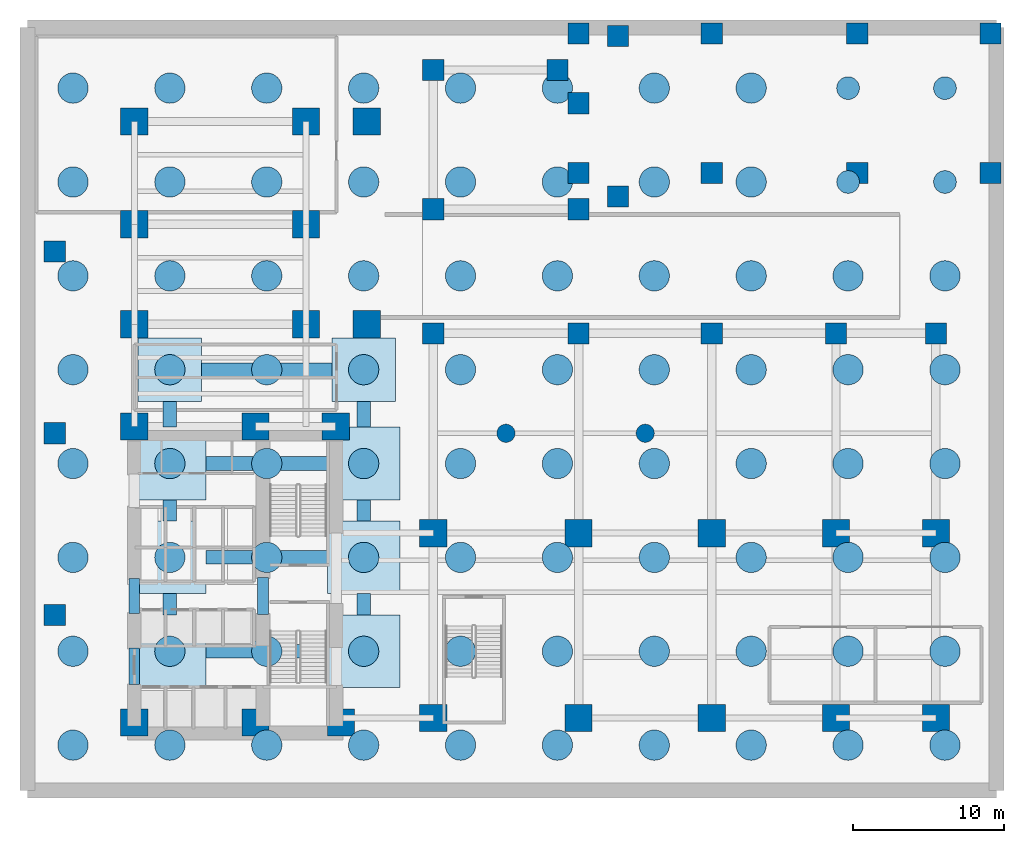
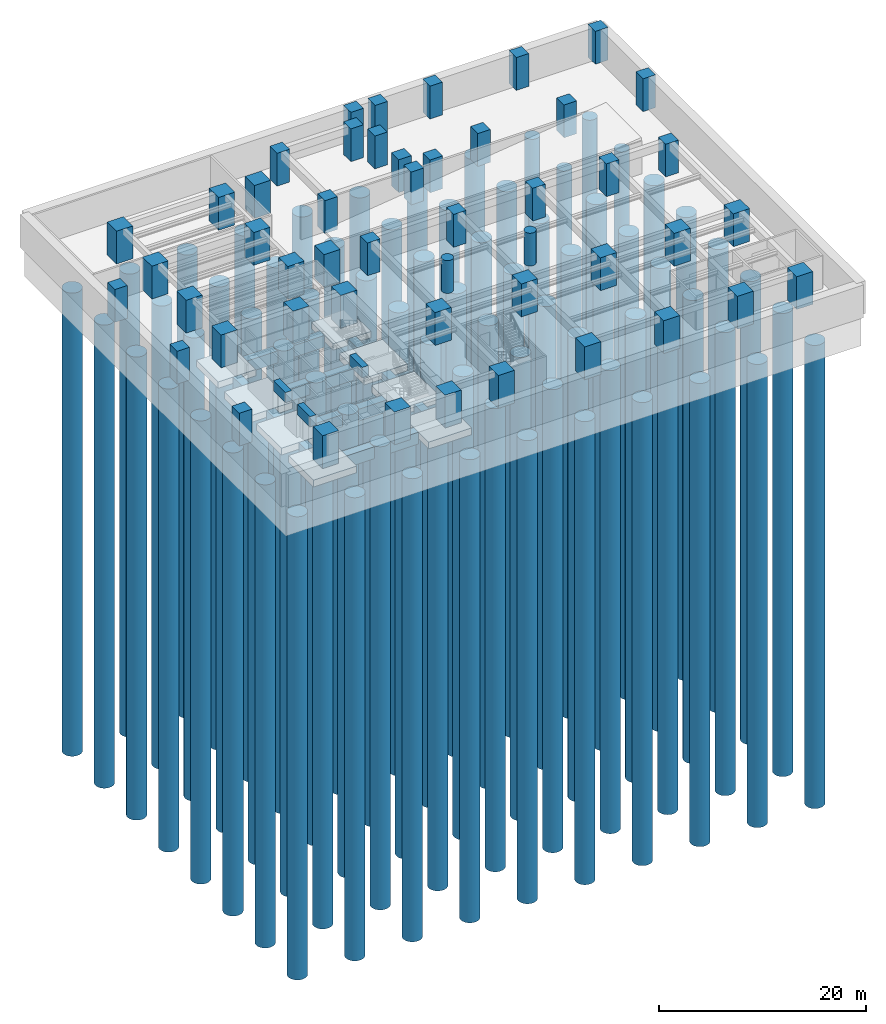
# One storey, part 1 of 6: 80 piles, 49 columns, 18 footings, 3 beams.
"""IFC4 building model written with IfcOpenShell, lengths in metres."""

from ifc_helpers import new_model, si_unit, direction, frame, origin, origin_2d, place, context, subcontext, project, spatial, polyline, rectangle, circle, outline, extrude, material, layer, layer_set, material_profile, profile_set, type_object, element, save


model = new_model("IFC4")

# Units and contexts
model_context = context("Model", 3, precision=1e-05, world=origin(), true_north=direction((0.0, 1.0)))
body_context = subcontext(model_context, "Body", "Model", "MODEL_VIEW")
ifc_project = project(units=[si_unit("LENGTHUNIT", "METRE"), si_unit("AREAUNIT", "SQUARE_METRE"), si_unit("VOLUMEUNIT", "CUBIC_METRE"), si_unit("PLANEANGLEUNIT", "RADIAN"), si_unit("MASSUNIT", "GRAM", prefix="KILO")], contexts=[model_context])

# Site, building, storey
site_placement = place(None, origin())
site = spatial("IfcSite", under=ifc_project, at=site_placement, CompositionType="ELEMENT")
building_placement = place(site_placement, origin())
building = spatial("IfcBuilding", under=site, at=building_placement, Name="Kolvaren Waterfront Exchange", CompositionType="ELEMENT")
storey_placement = place(building_placement, frame((0.0, 0.0, -8.39990234375)))
storey = spatial("IfcBuildingStorey", under=building, at=storey_placement, Name="B02", CompositionType="ELEMENT", Elevation=-8.39990234375)

# Footings
ifc_material_1 = material(Name="Concrete C40/50", Category="concrete")
ifc_material_profile_1 = material_profile(ifc_material_1, rectangle(XDim=0.89990234375, YDim=1.39990234375, at=origin_2d()), Name="RC-GB-1400x900")
ifc_profile_set_1 = profile_set([ifc_material_profile_1], Name="Concrete C40/50")
footing_type_1 = type_object("IfcFootingType", Name="STR-GBEAM-1400x900", PredefinedType="FOOTING_BEAM", material=ifc_profile_set_1)
footing_1_placement = place(storey_placement, frame((12.199951171875, 9.60009765625, -4.300048828125), z_axis=(1.0, 0.0, 0.0), x_axis=(0.0, 1.0, 0.0)))
element("IfcFooting", 1, at=footing_1_placement, inside=storey, type_object=footing_type_1, Name="Ground tie beam GB1-01", PredefinedType="FOOTING_BEAM", context=body_context, shape_type="SweptSolid", body=[
    extrude(rectangle(XDim=0.89990234375, YDim=1.39990234375, at=origin_2d()), origin(), (0.0, 0.0, 1.0), 8.0),
])
for number, where, z_axis, x_axis, name in (
    (2, (9.800048828125, 12.0, -4.300048828125), (0.0, 1.0, 0.0), (-1.0, 0.0, 0.0), "Ground tie beam GB1-02"),
    (3, (22.60009765625, 12.0, -4.300048828125), (0.0, 1.0, 0.0), (-1.0, 0.0, 0.0), "Ground tie beam GB1-03"),
):
    element("IfcFooting", number, at=place(storey_placement, frame(where, z_axis=z_axis, x_axis=x_axis)), inside=storey, type_object=footing_type_1, Name=name, PredefinedType="FOOTING_BEAM", context=body_context, shape_type="SweptSolid", body=[
        extrude(rectangle(XDim=0.89990234375, YDim=1.39990234375, at=origin_2d()), origin(), (0.0, 0.0, 1.0), 1.39990234375),
    ])
footing_2_placement = place(storey_placement, frame((12.199951171875, 15.800048828125, -4.300048828125), z_axis=(1.0, 0.0, 0.0), x_axis=(0.0, 1.0, 0.0)))
element("IfcFooting", 4, at=footing_2_placement, inside=storey, type_object=footing_type_1, Name="Ground tie beam GB1-04", PredefinedType="FOOTING_BEAM", context=body_context, shape_type="SweptSolid", body=[
    extrude(rectangle(XDim=0.89990234375, YDim=1.39990234375, at=origin_2d()), origin(), (0.0, 0.0, 1.0), 8.0),
])
for number, where, z_axis, x_axis, name in (
    (5, (9.800048828125, 18.199951171875, -4.300048828125), (0.0, 1.0, 0.0), (-1.0, 0.0, 0.0), "Ground tie beam GB1-05"),
    (6, (22.60009765625, 18.199951171875, -4.300048828125), (0.0, 1.0, 0.0), (-1.0, 0.0, 0.0), "Ground tie beam GB1-06"),
):
    element("IfcFooting", number, at=place(storey_placement, frame(where, z_axis=z_axis, x_axis=x_axis)), inside=storey, type_object=footing_type_1, Name=name, PredefinedType="FOOTING_BEAM", context=body_context, shape_type="SweptSolid", body=[
        extrude(rectangle(XDim=0.89990234375, YDim=1.39990234375, at=origin_2d()), origin(), (0.0, 0.0, 1.0), 1.400146484375),
    ])
footing_3_placement = place(storey_placement, frame((12.199951171875, 22.0, -4.300048828125), z_axis=(1.0, 0.0, 0.0), x_axis=(0.0, 1.0, 0.0)))
element("IfcFooting", 7, at=footing_3_placement, inside=storey, type_object=footing_type_1, Name="Ground tie beam GB1-07", PredefinedType="FOOTING_BEAM", context=body_context, shape_type="SweptSolid", body=[
    extrude(rectangle(XDim=0.89990234375, YDim=1.39990234375, at=origin_2d()), origin(), (0.0, 0.0, 1.0), 8.0),
])
for number, where, z_axis, x_axis, name in (
    (8, (9.800048828125, 24.39990234375, -4.300048828125), (0.0, 1.0, 0.0), (-1.0, 0.0, 0.0), "Ground tie beam GB1-08"),
    (9, (22.60009765625, 24.39990234375, -4.300048828125), (0.0, 1.0, 0.0), (-1.0, 0.0, 0.0), "Ground tie beam GB1-09"),
):
    element("IfcFooting", number, at=place(storey_placement, frame(where, z_axis=z_axis, x_axis=x_axis)), inside=storey, type_object=footing_type_1, Name=name, PredefinedType="FOOTING_BEAM", context=body_context, shape_type="SweptSolid", body=[
        extrude(rectangle(XDim=0.89990234375, YDim=1.39990234375, at=origin_2d()), origin(), (0.0, 0.0, 1.0), 1.7001953125),
    ])
footing_4_placement = place(storey_placement, frame((11.89990234375, 28.199951171875, -4.300048828125), z_axis=(1.0, 0.0, 0.0), x_axis=(0.0, 1.0, 0.0)))
element("IfcFooting", 10, at=footing_4_placement, inside=storey, type_object=footing_type_1, Name="Ground tie beam GB1-10", PredefinedType="FOOTING_BEAM", context=body_context, shape_type="SweptSolid", body=[
    extrude(rectangle(XDim=0.89990234375, YDim=1.39990234375, at=origin_2d()), origin(), (0.0, 0.0, 1.0), 8.60009765625),
])
ifc_layer_1 = layer(ifc_material_1, 0.75, Name="Concrete C40/50")
ifc_layer_set_1 = layer_set([ifc_layer_1], Name="Concrete C40/50")
footing_type_2 = type_object("IfcFootingType", Name="STR-PCAP-4200", PredefinedType="PILE_CAP", material=ifc_layer_set_1)
footing_5_placement = place(storey_placement, frame((0.0, 0.0, -4.35009765625)))
element("IfcFooting", 11, at=footing_5_placement, inside=storey, type_object=footing_type_2, Name="Reinforced concrete pile drop cap PC2-07", PredefinedType="PILE_CAP", context=body_context, shape_type="SweptSolid", body=[
    extrude(outline(polyline([(7.699951171875, 26.10009765625), (11.89990234375, 26.10009765625), (11.89990234375, 30.300048828125), (7.699951171875, 30.300048828125), (7.699951171875, 26.10009765625)])), origin(), (0.0, 0.0, 1.0), 0.75),
])
footing_6_placement = place(storey_placement, frame((0.0, 0.0, -4.35009765625)))
element("IfcFooting", 12, at=footing_6_placement, inside=storey, type_object=footing_type_2, Name="Reinforced concrete pile drop cap PC2-08", PredefinedType="PILE_CAP", context=body_context, shape_type="SweptSolid", body=[
    extrude(outline(polyline([(20.5, 26.10009765625), (24.699951171875, 26.10009765625), (24.699951171875, 30.300048828125), (20.5, 30.300048828125), (20.5, 26.10009765625)])), origin(), (0.0, 0.0, 1.0), 0.75),
])
ifc_layer_2 = layer(ifc_material_1, 0.800048828125, Name="Concrete C40/50")
ifc_layer_set_2 = layer_set([ifc_layer_2], Name="Concrete C40/50")
footing_type_3 = type_object("IfcFootingType", Name="STR-PCAP-4800", PredefinedType="PILE_CAP", material=ifc_layer_set_2)
footing_7_placement = place(storey_placement, frame((0.0, 0.0, -4.400146484375)))
element("IfcFooting", 13, at=footing_7_placement, inside=storey, type_object=footing_type_3, Name="Reinforced concrete pile drop cap PC1-01", PredefinedType="PILE_CAP", context=body_context, shape_type="SweptSolid", body=[
    extrude(outline(polyline([(7.39990234375, 7.199951171875), (12.199951171875, 7.199951171875), (12.199951171875, 12.0), (7.39990234375, 12.0), (7.39990234375, 7.199951171875)])), origin(), (0.0, 0.0, 1.0), 0.800048828125),
])
footing_8_placement = place(storey_placement, frame((0.0, 0.0, -4.400146484375)))
element("IfcFooting", 14, at=footing_8_placement, inside=storey, type_object=footing_type_3, Name="Reinforced concrete pile drop cap PC1-02", PredefinedType="PILE_CAP", context=body_context, shape_type="SweptSolid", body=[
    extrude(outline(polyline([(20.199951171875, 7.199951171875), (25.0, 7.199951171875), (25.0, 12.0), (20.199951171875, 12.0), (20.199951171875, 7.199951171875)])), origin(), (0.0, 0.0, 1.0), 0.800048828125),
])
footing_9_placement = place(storey_placement, frame((0.0, 0.0, -4.400146484375)))
element("IfcFooting", 15, at=footing_9_placement, inside=storey, type_object=footing_type_3, Name="Reinforced concrete pile drop cap PC1-03", PredefinedType="PILE_CAP", context=body_context, shape_type="SweptSolid", body=[
    extrude(outline(polyline([(7.39990234375, 13.39990234375), (12.199951171875, 13.39990234375), (12.199951171875, 18.199951171875), (7.39990234375, 18.199951171875), (7.39990234375, 13.39990234375)])), origin(), (0.0, 0.0, 1.0), 0.800048828125),
])
footing_10_placement = place(storey_placement, frame((0.0, 0.0, -4.400146484375)))
element("IfcFooting", 16, at=footing_10_placement, inside=storey, type_object=footing_type_3, Name="Reinforced concrete pile drop cap PC1-04", PredefinedType="PILE_CAP", context=body_context, shape_type="SweptSolid", body=[
    extrude(outline(polyline([(20.199951171875, 13.39990234375), (25.0, 13.39990234375), (25.0, 18.199951171875), (20.199951171875, 18.199951171875), (20.199951171875, 13.39990234375)])), origin(), (0.0, 0.0, 1.0), 0.800048828125),
])
footing_11_placement = place(storey_placement, frame((0.0, 0.0, -4.400146484375)))
element("IfcFooting", 17, at=footing_11_placement, inside=storey, type_object=footing_type_3, Name="Reinforced concrete pile drop cap PC1-05", PredefinedType="PILE_CAP", context=body_context, shape_type="SweptSolid", body=[
    extrude(outline(polyline([(7.39990234375, 19.60009765625), (12.199951171875, 19.60009765625), (12.199951171875, 24.39990234375), (7.39990234375, 24.39990234375), (7.39990234375, 19.60009765625)])), origin(), (0.0, 0.0, 1.0), 0.800048828125),
])
footing_12_placement = place(storey_placement, frame((0.0, 0.0, -4.400146484375)))
element("IfcFooting", 18, at=footing_12_placement, inside=storey, type_object=footing_type_3, Name="Reinforced concrete pile drop cap PC1-06", PredefinedType="PILE_CAP", context=body_context, shape_type="SweptSolid", body=[
    extrude(outline(polyline([(20.199951171875, 19.60009765625), (25.0, 19.60009765625), (25.0, 24.39990234375), (20.199951171875, 24.39990234375), (20.199951171875, 19.60009765625)])), origin(), (0.0, 0.0, 1.0), 0.800048828125),
])

# Piles
ifc_material_2 = material(Name="Concrete C50/60", Category="concrete")
ifc_material_profile_2 = material_profile(ifc_material_2, circle(Radius=0.75, at=origin_2d()), Name="RC-PILE-D1500")
ifc_profile_set_2 = profile_set([ifc_material_profile_2], Name="Concrete C50/60")
pile_type_1 = type_object("IfcPileType", Name="STR-PILE-D1500", PredefinedType="BORED", material=ifc_profile_set_2)
for number, where, z_axis, x_axis, name in (
    (19, (54.60009765625, 40.60009765625, -3.5), (0.0, 0.0, -1.0), (1.0, 0.0, 0.0), "Bored pile P069"),
    (20, (61.0, 40.60009765625, -3.5), (0.0, 0.0, -1.0), (1.0, 0.0, 0.0), "Bored pile P070"),
    (21, (54.60009765625, 46.800048828125, -3.5), (0.0, 0.0, -1.0), (1.0, 0.0, 0.0), "Bored pile P079"),
    (22, (61.0, 46.800048828125, -3.5), (0.0, 0.0, -1.0), (1.0, 0.0, 0.0), "Bored pile P080"),
):
    element("IfcPile", number, at=place(storey_placement, frame(where, z_axis=z_axis, x_axis=x_axis)), inside=storey, type_object=pile_type_1, Name=name, PredefinedType="BORED", context=body_context, shape_type="SweptSolid", body=[
        extrude(circle(Radius=0.75, at=origin_2d()), origin(), (0.0, 0.0, 1.0), 54.5),
    ])
ifc_material_profile_3 = material_profile(ifc_material_2, circle(Radius=1.0, at=origin_2d()), Name="RC-PILE-D2000")
ifc_profile_set_3 = profile_set([ifc_material_profile_3], Name="Concrete C50/60")
pile_type_2 = type_object("IfcPileType", Name="STR-PILE-D2000", PredefinedType="BORED", material=ifc_profile_set_3)
for number, where, z_axis, x_axis, name in (
    (23, (3.39990234375, 3.39990234375, -3.5), (0.0, 0.0, -1.0), (1.0, 0.0, 0.0), "Bored pile P001"),
    (24, (9.800048828125, 3.39990234375, -3.5), (0.0, 0.0, -1.0), (1.0, 0.0, 0.0), "Bored pile P002"),
    (25, (16.199951171875, 3.39990234375, -3.5), (0.0, 0.0, -1.0), (1.0, 0.0, 0.0), "Bored pile P003"),
    (26, (22.60009765625, 3.39990234375, -3.5), (0.0, 0.0, -1.0), (1.0, 0.0, 0.0), "Bored pile P004"),
    (27, (29.0, 3.39990234375, -3.5), (0.0, 0.0, -1.0), (1.0, 0.0, 0.0), "Bored pile P005"),
    (28, (35.39990234375, 3.39990234375, -3.5), (0.0, 0.0, -1.0), (1.0, 0.0, 0.0), "Bored pile P006"),
    (29, (41.800048828125, 3.39990234375, -3.5), (0.0, 0.0, -1.0), (1.0, 0.0, 0.0), "Bored pile P007"),
    (30, (48.199951171875, 3.39990234375, -3.5), (0.0, 0.0, -1.0), (1.0, 0.0, 0.0), "Bored pile P008"),
    (31, (54.60009765625, 3.39990234375, -3.5), (0.0, 0.0, -1.0), (1.0, 0.0, 0.0), "Bored pile P009"),
    (32, (61.0, 3.39990234375, -3.5), (0.0, 0.0, -1.0), (1.0, 0.0, 0.0), "Bored pile P010"),
    (33, (3.39990234375, 9.60009765625, -3.5), (0.0, 0.0, -1.0), (1.0, 0.0, 0.0), "Bored pile P011"),
):
    element("IfcPile", number, at=place(storey_placement, frame(where, z_axis=z_axis, x_axis=x_axis)), inside=storey, type_object=pile_type_2, Name=name, PredefinedType="BORED", context=body_context, shape_type="SweptSolid", body=[
        extrude(circle(Radius=1.0, at=origin_2d()), origin(), (0.0, 0.0, 1.0), 54.5),
    ])
pile_1_placement = place(storey_placement, frame((9.800048828125, 9.60009765625, -4.300048828125), z_axis=(0.0, 0.0, -1.0), x_axis=(1.0, 0.0, 0.0)))
element("IfcPile", 34, at=pile_1_placement, inside=storey, type_object=pile_type_2, Name="Bored pile P012", PredefinedType="BORED", context=body_context, shape_type="SweptSolid", body=[
    extrude(circle(Radius=1.0, at=origin_2d()), origin(), (0.0, 0.0, 1.0), 53.699951171875),
])
pile_2_placement = place(storey_placement, frame((16.199951171875, 9.60009765625, -3.5), z_axis=(0.0, 0.0, -1.0), x_axis=(1.0, 0.0, 0.0)))
element("IfcPile", 35, at=pile_2_placement, inside=storey, type_object=pile_type_2, Name="Bored pile P013", PredefinedType="BORED", context=body_context, shape_type="SweptSolid", body=[
    extrude(circle(Radius=1.0, at=origin_2d()), origin(), (0.0, 0.0, 1.0), 54.5),
])
pile_3_placement = place(storey_placement, frame((22.60009765625, 9.60009765625, -4.300048828125), z_axis=(0.0, 0.0, -1.0), x_axis=(1.0, 0.0, 0.0)))
element("IfcPile", 36, at=pile_3_placement, inside=storey, type_object=pile_type_2, Name="Bored pile P014", PredefinedType="BORED", context=body_context, shape_type="SweptSolid", body=[
    extrude(circle(Radius=1.0, at=origin_2d()), origin(), (0.0, 0.0, 1.0), 53.699951171875),
])
for number, where, z_axis, x_axis, name in (
    (37, (29.0, 9.60009765625, -3.5), (0.0, 0.0, -1.0), (1.0, 0.0, 0.0), "Bored pile P015"),
    (38, (35.39990234375, 9.60009765625, -3.5), (0.0, 0.0, -1.0), (1.0, 0.0, 0.0), "Bored pile P016"),
    (39, (41.800048828125, 9.60009765625, -3.5), (0.0, 0.0, -1.0), (1.0, 0.0, 0.0), "Bored pile P017"),
    (40, (48.199951171875, 9.60009765625, -3.5), (0.0, 0.0, -1.0), (1.0, 0.0, 0.0), "Bored pile P018"),
    (41, (54.60009765625, 9.60009765625, -3.5), (0.0, 0.0, -1.0), (1.0, 0.0, 0.0), "Bored pile P019"),
    (42, (61.0, 9.60009765625, -3.5), (0.0, 0.0, -1.0), (1.0, 0.0, 0.0), "Bored pile P020"),
    (43, (3.39990234375, 15.800048828125, -3.5), (0.0, 0.0, -1.0), (1.0, 0.0, 0.0), "Bored pile P021"),
):
    element("IfcPile", number, at=place(storey_placement, frame(where, z_axis=z_axis, x_axis=x_axis)), inside=storey, type_object=pile_type_2, Name=name, PredefinedType="BORED", context=body_context, shape_type="SweptSolid", body=[
        extrude(circle(Radius=1.0, at=origin_2d()), origin(), (0.0, 0.0, 1.0), 54.5),
    ])
pile_4_placement = place(storey_placement, frame((9.800048828125, 15.800048828125, -4.300048828125), z_axis=(0.0, 0.0, -1.0), x_axis=(1.0, 0.0, 0.0)))
element("IfcPile", 44, at=pile_4_placement, inside=storey, type_object=pile_type_2, Name="Bored pile P022", PredefinedType="BORED", context=body_context, shape_type="SweptSolid", body=[
    extrude(circle(Radius=1.0, at=origin_2d()), origin(), (0.0, 0.0, 1.0), 53.699951171875),
])
pile_5_placement = place(storey_placement, frame((16.199951171875, 15.800048828125, -3.5), z_axis=(0.0, 0.0, -1.0), x_axis=(1.0, 0.0, 0.0)))
element("IfcPile", 45, at=pile_5_placement, inside=storey, type_object=pile_type_2, Name="Bored pile P023", PredefinedType="BORED", context=body_context, shape_type="SweptSolid", body=[
    extrude(circle(Radius=1.0, at=origin_2d()), origin(), (0.0, 0.0, 1.0), 54.5),
])
pile_6_placement = place(storey_placement, frame((22.60009765625, 15.800048828125, -4.300048828125), z_axis=(0.0, 0.0, -1.0), x_axis=(1.0, 0.0, 0.0)))
element("IfcPile", 46, at=pile_6_placement, inside=storey, type_object=pile_type_2, Name="Bored pile P024", PredefinedType="BORED", context=body_context, shape_type="SweptSolid", body=[
    extrude(circle(Radius=1.0, at=origin_2d()), origin(), (0.0, 0.0, 1.0), 53.699951171875),
])
for number, where, z_axis, x_axis, name in (
    (47, (29.0, 15.800048828125, -3.5), (0.0, 0.0, -1.0), (1.0, 0.0, 0.0), "Bored pile P025"),
    (48, (35.39990234375, 15.800048828125, -3.5), (0.0, 0.0, -1.0), (1.0, 0.0, 0.0), "Bored pile P026"),
    (49, (41.800048828125, 15.800048828125, -3.5), (0.0, 0.0, -1.0), (1.0, 0.0, 0.0), "Bored pile P027"),
    (50, (48.199951171875, 15.800048828125, -3.5), (0.0, 0.0, -1.0), (1.0, 0.0, 0.0), "Bored pile P028"),
    (51, (54.60009765625, 15.800048828125, -3.5), (0.0, 0.0, -1.0), (1.0, 0.0, 0.0), "Bored pile P029"),
    (52, (61.0, 15.800048828125, -3.5), (0.0, 0.0, -1.0), (1.0, 0.0, 0.0), "Bored pile P030"),
    (53, (3.39990234375, 22.0, -3.5), (0.0, 0.0, -1.0), (1.0, 0.0, 0.0), "Bored pile P031"),
):
    element("IfcPile", number, at=place(storey_placement, frame(where, z_axis=z_axis, x_axis=x_axis)), inside=storey, type_object=pile_type_2, Name=name, PredefinedType="BORED", context=body_context, shape_type="SweptSolid", body=[
        extrude(circle(Radius=1.0, at=origin_2d()), origin(), (0.0, 0.0, 1.0), 54.5),
    ])
pile_7_placement = place(storey_placement, frame((9.800048828125, 22.0, -4.300048828125), z_axis=(0.0, 0.0, -1.0), x_axis=(1.0, 0.0, 0.0)))
element("IfcPile", 54, at=pile_7_placement, inside=storey, type_object=pile_type_2, Name="Bored pile P032", PredefinedType="BORED", context=body_context, shape_type="SweptSolid", body=[
    extrude(circle(Radius=1.0, at=origin_2d()), origin(), (0.0, 0.0, 1.0), 53.699951171875),
])
pile_8_placement = place(storey_placement, frame((16.199951171875, 22.0, -3.5), z_axis=(0.0, 0.0, -1.0), x_axis=(1.0, 0.0, 0.0)))
element("IfcPile", 55, at=pile_8_placement, inside=storey, type_object=pile_type_2, Name="Bored pile P033", PredefinedType="BORED", context=body_context, shape_type="SweptSolid", body=[
    extrude(circle(Radius=1.0, at=origin_2d()), origin(), (0.0, 0.0, 1.0), 54.5),
])
pile_9_placement = place(storey_placement, frame((22.60009765625, 22.0, -4.300048828125), z_axis=(0.0, 0.0, -1.0), x_axis=(1.0, 0.0, 0.0)))
element("IfcPile", 56, at=pile_9_placement, inside=storey, type_object=pile_type_2, Name="Bored pile P034", PredefinedType="BORED", context=body_context, shape_type="SweptSolid", body=[
    extrude(circle(Radius=1.0, at=origin_2d()), origin(), (0.0, 0.0, 1.0), 53.699951171875),
])
for number, where, z_axis, x_axis, name in (
    (57, (29.0, 22.0, -3.5), (0.0, 0.0, -1.0), (1.0, 0.0, 0.0), "Bored pile P035"),
    (58, (35.39990234375, 22.0, -3.5), (0.0, 0.0, -1.0), (1.0, 0.0, 0.0), "Bored pile P036"),
    (59, (41.800048828125, 22.0, -3.5), (0.0, 0.0, -1.0), (1.0, 0.0, 0.0), "Bored pile P037"),
    (60, (48.199951171875, 22.0, -3.5), (0.0, 0.0, -1.0), (1.0, 0.0, 0.0), "Bored pile P038"),
    (61, (54.60009765625, 22.0, -3.5), (0.0, 0.0, -1.0), (1.0, 0.0, 0.0), "Bored pile P039"),
    (62, (61.0, 22.0, -3.5), (0.0, 0.0, -1.0), (1.0, 0.0, 0.0), "Bored pile P040"),
    (63, (3.39990234375, 28.199951171875, -3.5), (0.0, 0.0, -1.0), (1.0, 0.0, 0.0), "Bored pile P041"),
):
    element("IfcPile", number, at=place(storey_placement, frame(where, z_axis=z_axis, x_axis=x_axis)), inside=storey, type_object=pile_type_2, Name=name, PredefinedType="BORED", context=body_context, shape_type="SweptSolid", body=[
        extrude(circle(Radius=1.0, at=origin_2d()), origin(), (0.0, 0.0, 1.0), 54.5),
    ])
pile_10_placement = place(storey_placement, frame((9.800048828125, 28.199951171875, -4.300048828125), z_axis=(0.0, 0.0, -1.0), x_axis=(1.0, 0.0, 0.0)))
element("IfcPile", 64, at=pile_10_placement, inside=storey, type_object=pile_type_2, Name="Bored pile P042", PredefinedType="BORED", context=body_context, shape_type="SweptSolid", body=[
    extrude(circle(Radius=1.0, at=origin_2d()), origin(), (0.0, 0.0, 1.0), 53.699951171875),
])
pile_11_placement = place(storey_placement, frame((16.199951171875, 28.199951171875, -3.5), z_axis=(0.0, 0.0, -1.0), x_axis=(1.0, 0.0, 0.0)))
element("IfcPile", 65, at=pile_11_placement, inside=storey, type_object=pile_type_2, Name="Bored pile P043", PredefinedType="BORED", context=body_context, shape_type="SweptSolid", body=[
    extrude(circle(Radius=1.0, at=origin_2d()), origin(), (0.0, 0.0, 1.0), 54.5),
])
pile_12_placement = place(storey_placement, frame((22.60009765625, 28.199951171875, -4.300048828125), z_axis=(0.0, 0.0, -1.0), x_axis=(1.0, 0.0, 0.0)))
element("IfcPile", 66, at=pile_12_placement, inside=storey, type_object=pile_type_2, Name="Bored pile P044", PredefinedType="BORED", context=body_context, shape_type="SweptSolid", body=[
    extrude(circle(Radius=1.0, at=origin_2d()), origin(), (0.0, 0.0, 1.0), 53.699951171875),
])
for number, where, z_axis, x_axis, name in (
    (67, (29.0, 28.199951171875, -3.5), (0.0, 0.0, -1.0), (1.0, 0.0, 0.0), "Bored pile P045"),
    (68, (35.39990234375, 28.199951171875, -3.5), (0.0, 0.0, -1.0), (1.0, 0.0, 0.0), "Bored pile P046"),
    (69, (41.800048828125, 28.199951171875, -3.5), (0.0, 0.0, -1.0), (1.0, 0.0, 0.0), "Bored pile P047"),
    (70, (48.199951171875, 28.199951171875, -3.5), (0.0, 0.0, -1.0), (1.0, 0.0, 0.0), "Bored pile P048"),
    (71, (54.60009765625, 28.199951171875, -3.5), (0.0, 0.0, -1.0), (1.0, 0.0, 0.0), "Bored pile P049"),
    (72, (61.0, 28.199951171875, -3.5), (0.0, 0.0, -1.0), (1.0, 0.0, 0.0), "Bored pile P050"),
    (73, (3.39990234375, 34.39990234375, -3.5), (0.0, 0.0, -1.0), (1.0, 0.0, 0.0), "Bored pile P051"),
    (74, (9.800048828125, 34.39990234375, -3.5), (0.0, 0.0, -1.0), (1.0, 0.0, 0.0), "Bored pile P052"),
    (75, (16.199951171875, 34.39990234375, -3.5), (0.0, 0.0, -1.0), (1.0, 0.0, 0.0), "Bored pile P053"),
    (76, (22.60009765625, 34.39990234375, -3.5), (0.0, 0.0, -1.0), (1.0, 0.0, 0.0), "Bored pile P054"),
    (77, (29.0, 34.39990234375, -3.5), (0.0, 0.0, -1.0), (1.0, 0.0, 0.0), "Bored pile P055"),
    (78, (35.39990234375, 34.39990234375, -3.5), (0.0, 0.0, -1.0), (1.0, 0.0, 0.0), "Bored pile P056"),
    (79, (41.800048828125, 34.39990234375, -3.5), (0.0, 0.0, -1.0), (1.0, 0.0, 0.0), "Bored pile P057"),
    (80, (48.199951171875, 34.39990234375, -3.5), (0.0, 0.0, -1.0), (1.0, 0.0, 0.0), "Bored pile P058"),
    (81, (54.60009765625, 34.39990234375, -3.5), (0.0, 0.0, -1.0), (1.0, 0.0, 0.0), "Bored pile P059"),
    (82, (61.0, 34.39990234375, -3.5), (0.0, 0.0, -1.0), (1.0, 0.0, 0.0), "Bored pile P060"),
    (83, (3.39990234375, 40.60009765625, -3.5), (0.0, 0.0, -1.0), (1.0, 0.0, 0.0), "Bored pile P061"),
    (84, (9.800048828125, 40.60009765625, -3.5), (0.0, 0.0, -1.0), (1.0, 0.0, 0.0), "Bored pile P062"),
    (85, (16.199951171875, 40.60009765625, -3.5), (0.0, 0.0, -1.0), (1.0, 0.0, 0.0), "Bored pile P063"),
    (86, (22.60009765625, 40.60009765625, -3.5), (0.0, 0.0, -1.0), (1.0, 0.0, 0.0), "Bored pile P064"),
    (87, (29.0, 40.60009765625, -3.5), (0.0, 0.0, -1.0), (1.0, 0.0, 0.0), "Bored pile P065"),
    (88, (35.39990234375, 40.60009765625, -3.5), (0.0, 0.0, -1.0), (1.0, 0.0, 0.0), "Bored pile P066"),
    (89, (41.800048828125, 40.60009765625, -3.5), (0.0, 0.0, -1.0), (1.0, 0.0, 0.0), "Bored pile P067"),
    (90, (48.199951171875, 40.60009765625, -3.5), (0.0, 0.0, -1.0), (1.0, 0.0, 0.0), "Bored pile P068"),
    (91, (3.39990234375, 46.800048828125, -3.5), (0.0, 0.0, -1.0), (1.0, 0.0, 0.0), "Bored pile P071"),
    (92, (9.800048828125, 46.800048828125, -3.5), (0.0, 0.0, -1.0), (1.0, 0.0, 0.0), "Bored pile P072"),
    (93, (16.199951171875, 46.800048828125, -3.5), (0.0, 0.0, -1.0), (1.0, 0.0, 0.0), "Bored pile P073"),
    (94, (22.60009765625, 46.800048828125, -3.5), (0.0, 0.0, -1.0), (1.0, 0.0, 0.0), "Bored pile P074"),
    (95, (29.0, 46.800048828125, -3.5), (0.0, 0.0, -1.0), (1.0, 0.0, 0.0), "Bored pile P075"),
    (96, (35.39990234375, 46.800048828125, -3.5), (0.0, 0.0, -1.0), (1.0, 0.0, 0.0), "Bored pile P076"),
    (97, (41.800048828125, 46.800048828125, -3.5), (0.0, 0.0, -1.0), (1.0, 0.0, 0.0), "Bored pile P077"),
    (98, (48.199951171875, 46.800048828125, -3.5), (0.0, 0.0, -1.0), (1.0, 0.0, 0.0), "Bored pile P078"),
):
    element("IfcPile", number, at=place(storey_placement, frame(where, z_axis=z_axis, x_axis=x_axis)), inside=storey, type_object=pile_type_2, Name=name, PredefinedType="BORED", context=body_context, shape_type="SweptSolid", body=[
        extrude(circle(Radius=1.0, at=origin_2d()), origin(), (0.0, 0.0, 1.0), 54.5),
    ])

# Columns
ifc_material_3 = material(Name="Concrete C70/85", Category="concrete")
ifc_material_profile_4 = material_profile(ifc_material_3, rectangle(XDim=1.39990234375, YDim=1.39990234375, at=origin_2d()), Name="RC-COL-1400x1400")
ifc_profile_set_4 = profile_set([ifc_material_profile_4], Name="Concrete C70/85")
column_type_1 = type_object("IfcColumnType", Name="STR-COL-1400-C70", PredefinedType="COLUMN", material=ifc_profile_set_4)
for number, where, z_axis, x_axis, name in (
    (99, (39.39990234375, 39.64990234375, 0.0), (0.0, 0.0, 1.0), (1.0, 0.0, 0.0), "B02 waterfront canopy foundation column 1"),
    (100, (39.39990234375, 50.25, 0.0), (0.0, 0.0, 1.0), (1.0, 0.0, 0.0), "B02 waterfront canopy foundation column 2"),
    (101, (27.199951171875, 30.60009765625, 0.0), (0.0, 0.0, 1.0), (1.0, 0.0, 0.0), "B02 column PC01"),
    (102, (36.800048828125, 30.60009765625, 0.0), (0.0, 0.0, 1.0), (1.0, 0.0, 0.0), "B02 column PC02"),
    (103, (45.60009765625, 30.60009765625, 0.0), (0.0, 0.0, 1.0), (1.0, 0.0, 0.0), "B02 column PC03"),
    (104, (53.800048828125, 30.60009765625, 0.0), (0.0, 0.0, 1.0), (1.0, 0.0, 0.0), "B02 column PC04"),
    (105, (60.39990234375, 30.60009765625, 0.0), (0.0, 0.0, 1.0), (1.0, 0.0, 0.0), "B02 column PC05"),
    (106, (27.199951171875, 38.800048828125, 0.0), (0.0, 0.0, 1.0), (1.0, 0.0, 0.0), "B02 column PC06"),
    (107, (36.800048828125, 38.800048828125, 0.0), (0.0, 0.0, 1.0), (1.0, 0.0, 0.0), "B02 column PC07"),
    (108, (27.199951171875, 48.0, 0.0), (0.0, 0.0, 1.0), (1.0, 0.0, 0.0), "B02 column PC08"),
    (109, (35.39990234375, 48.0, 0.0), (0.0, 0.0, 1.0), (1.0, 0.0, 0.0), "B02 column PC09"),
    (110, (45.60009765625, 41.199951171875, 0.0), (0.0, 0.0, 1.0), (1.0, 0.0, 0.0), "B02 column PC10"),
    (111, (55.199951171875, 41.199951171875, 0.0), (0.0, 0.0, 1.0), (1.0, 0.0, 0.0), "B02 column PC11"),
    (112, (64.0, 41.199951171875, 0.0), (0.0, 0.0, 1.0), (1.0, 0.0, 0.0), "B02 column PC12"),
    (113, (45.60009765625, 50.39990234375, 0.0), (0.0, 0.0, 1.0), (1.0, 0.0, 0.0), "B02 column PC13"),
    (114, (55.199951171875, 50.39990234375, 0.0), (0.0, 0.0, 1.0), (1.0, 0.0, 0.0), "B02 column PC14"),
    (115, (64.0, 50.39990234375, 0.0), (0.0, 0.0, 1.0), (1.0, 0.0, 0.0), "B02 column PC15"),
    (116, (36.800048828125, 50.39990234375, 0.0), (0.0, 0.0, 1.0), (1.0, 0.0, 0.0), "B02 column PC16"),
    (117, (36.800048828125, 45.800048828125, 0.0), (0.0, 0.0, 1.0), (1.0, 0.0, 0.0), "B02 column PC17"),
    (118, (36.800048828125, 41.199951171875, 0.0), (0.0, 0.0, 1.0), (1.0, 0.0, 0.0), "B02 column PC18"),
    (119, (2.199951171875, 12.0, 0.0), (0.0, 0.0, 1.0), (1.0, 0.0, 0.0), "B02 column PL01B"),
    (120, (2.199951171875, 24.0, 0.0), (0.0, 0.0, 1.0), (1.0, 0.0, 0.0), "B02 column PL02B"),
    (121, (2.199951171875, 36.0, 0.0), (0.0, 0.0, 1.0), (1.0, 0.0, 0.0), "B02 column PL03B"),
):
    element("IfcColumn", number, at=place(storey_placement, frame(where, z_axis=z_axis, x_axis=x_axis)), inside=storey, type_object=column_type_1, Name=name, PredefinedType="COLUMN", context=body_context, shape_type="SweptSolid", body=[
        extrude(rectangle(XDim=1.39990234375, YDim=1.39990234375, at=origin_2d()), origin(), (0.0, 0.0, 1.0), 3.85986328125),
    ])
ifc_material_profile_5 = material_profile(ifc_material_3, rectangle(XDim=1.800048828125, YDim=1.800048828125, at=origin_2d()), Name="RC-COL-1800x1800")
ifc_profile_set_5 = profile_set([ifc_material_profile_5], Name="Concrete C70/85")
column_type_2 = type_object("IfcColumnType", Name="STR-COL-1800-C70", PredefinedType="COLUMN", material=ifc_profile_set_5)
for number, where, z_axis, x_axis, name in (
    (122, (7.449951171875, 4.89990234375, 0.0), (0.0, 0.0, 1.0), (1.0, 0.0, 0.0), "B02 column MC01"),
    (123, (15.449951171875, 4.89990234375, 0.0), (0.0, 0.0, 1.0), (1.0, 0.0, 0.0), "B02 column MC02"),
    (124, (21.10009765625, 4.89990234375, 0.0), (0.0, 0.0, 1.0), (1.0, 0.0, 0.0), "B02 column MC03"),
    (125, (7.449951171875, 24.449951171875, 0.0), (0.0, 0.0, 1.0), (1.0, 0.0, 0.0), "B02 column MC04"),
    (126, (15.449951171875, 24.449951171875, 0.0), (0.0, 0.0, 1.0), (1.0, 0.0, 0.0), "B02 column MC05"),
    (127, (20.75, 24.449951171875, 0.0), (0.0, 0.0, 1.0), (1.0, 0.0, 0.0), "B02 column MC06"),
    (128, (7.449951171875, 31.199951171875, 0.0), (0.0, 0.0, 1.0), (1.0, 0.0, 0.0), "B02 column NC01"),
    (129, (7.449951171875, 37.800048828125, 0.0), (0.0, 0.0, 1.0), (1.0, 0.0, 0.0), "B02 column NC02"),
    (130, (7.449951171875, 44.60009765625, 0.0), (0.0, 0.0, 1.0), (1.0, 0.0, 0.0), "B02 column NC03"),
    (131, (18.800048828125, 31.199951171875, 0.0), (0.0, 0.0, 1.0), (1.0, 0.0, 0.0), "B02 column NC04"),
    (132, (18.800048828125, 37.800048828125, 0.0), (0.0, 0.0, 1.0), (1.0, 0.0, 0.0), "B02 column NC05"),
    (133, (18.800048828125, 44.60009765625, 0.0), (0.0, 0.0, 1.0), (1.0, 0.0, 0.0), "B02 column NC06"),
    (134, (27.199951171875, 5.199951171875, 0.0), (0.0, 0.0, 1.0), (1.0, 0.0, 0.0), "B02 column EC01"),
    (135, (36.800048828125, 5.199951171875, 0.0), (0.0, 0.0, 1.0), (1.0, 0.0, 0.0), "B02 column EC02"),
    (136, (45.60009765625, 5.199951171875, 0.0), (0.0, 0.0, 1.0), (1.0, 0.0, 0.0), "B02 column EC03"),
    (137, (27.199951171875, 17.39990234375, 0.0), (0.0, 0.0, 1.0), (1.0, 0.0, 0.0), "B02 column EC04"),
    (138, (36.800048828125, 17.39990234375, 0.0), (0.0, 0.0, 1.0), (1.0, 0.0, 0.0), "B02 column EC05"),
    (139, (45.60009765625, 17.39990234375, 0.0), (0.0, 0.0, 1.0), (1.0, 0.0, 0.0), "B02 column EC06"),
    (140, (53.800048828125, 5.199951171875, 0.0), (0.0, 0.0, 1.0), (1.0, 0.0, 0.0), "B02 column ZC01"),
    (141, (53.800048828125, 17.39990234375, 0.0), (0.0, 0.0, 1.0), (1.0, 0.0, 0.0), "B02 column ZC02"),
    (142, (60.39990234375, 5.199951171875, 0.0), (0.0, 0.0, 1.0), (1.0, 0.0, 0.0), "B02 column ZC03"),
    (143, (60.39990234375, 17.39990234375, 0.0), (0.0, 0.0, 1.0), (1.0, 0.0, 0.0), "B02 column ZC04"),
    (144, (22.800048828125, 31.199951171875, 0.0), (0.0, 0.0, 1.0), (1.0, 0.0, 0.0), "B02 column ZC05"),
    (145, (22.800048828125, 44.60009765625, 0.0), (0.0, 0.0, 1.0), (1.0, 0.0, 0.0), "B02 column ZC06"),
):
    element("IfcColumn", number, at=place(storey_placement, frame(where, z_axis=z_axis, x_axis=x_axis)), inside=storey, type_object=column_type_2, Name=name, PredefinedType="COLUMN", context=body_context, shape_type="SweptSolid", body=[
        extrude(rectangle(XDim=1.800048828125, YDim=1.800048828125, at=origin_2d()), origin(), (0.0, 0.0, 1.0), 3.85986328125),
    ])
ifc_material_profile_6 = material_profile(ifc_material_3, circle(Radius=0.60009765625, at=origin_2d()), Name="RC-COL-D1200")
ifc_profile_set_6 = profile_set([ifc_material_profile_6], Name="Concrete C70/85")
column_type_3 = type_object("IfcColumnType", Name="STR-COL-D1200-C70", PredefinedType="COLUMN", material=ifc_profile_set_6)
for number, where, z_axis, x_axis, name in (
    (146, (32.0, 24.0, 0.0), (0.0, 0.0, 1.0), (1.0, 0.0, 0.0), "B02 column LC01"),
    (147, (41.199951171875, 24.0, 0.0), (0.0, 0.0, 1.0), (1.0, 0.0, 0.0), "B02 column LC02"),
):
    element("IfcColumn", number, at=place(storey_placement, frame(where, z_axis=z_axis, x_axis=x_axis)), inside=storey, type_object=column_type_3, Name=name, PredefinedType="COLUMN", context=body_context, shape_type="SweptSolid", body=[
        extrude(circle(Radius=0.60009765625, at=origin_2d()), origin(), (0.0, 0.0, 1.0), 3.85986328125),
    ])

# Beams
ifc_material_profile_7 = material_profile(ifc_material_3, rectangle(XDim=0.699951171875, YDim=1.199951171875, at=origin_2d()), Name="RC-CB-1200x700")
ifc_profile_set_7 = profile_set([ifc_material_profile_7], Name="Concrete C70/85")
beam_type = type_object("IfcBeamType", Name="STR-CB-1200", PredefinedType="SPANDREL", material=ifc_profile_set_7)
beam_1_placement = place(storey_placement, frame((7.449951171875, 7.389892578125, 3.260009765625), z_axis=(0.0, 1.0, 0.0), x_axis=(-1.0, 0.0, 0.0)))
element("IfcBeam", 148, at=beam_1_placement, inside=storey, type_object=beam_type, Name="B02 core coupling beam 3", PredefinedType="SPANDREL", context=body_context, shape_type="SweptSolid", body=[
    extrude(rectangle(XDim=0.699951171875, YDim=1.199951171875, at=origin_2d()), origin(), (0.0, 0.0, 1.0), 2.420166015625),
])
beam_2_placement = place(storey_placement, frame((7.449951171875, 12.090087890625, 3.260009765625), z_axis=(0.0, 1.0, 0.0), x_axis=(-1.0, 0.0, 0.0)))
element("IfcBeam", 149, at=beam_2_placement, inside=storey, type_object=beam_type, Name="B02 core coupling beam 4", PredefinedType="SPANDREL", context=body_context, shape_type="SweptSolid", body=[
    extrude(rectangle(XDim=0.699951171875, YDim=1.199951171875, at=origin_2d()), origin(), (0.0, 0.0, 1.0), 2.31982421875),
])
beam_3_placement = place(storey_placement, frame((15.949951171875, 12.0400390625, 3.260009765625), z_axis=(0.0, 1.0, 0.0), x_axis=(-1.0, 0.0, 0.0)))
element("IfcBeam", 150, at=beam_3_placement, inside=storey, type_object=beam_type, Name="B02 core coupling beam 6", PredefinedType="SPANDREL", context=body_context, shape_type="SweptSolid", body=[
    extrude(rectangle(XDim=0.699951171875, YDim=1.199951171875, at=origin_2d()), origin(), (0.0, 0.0, 1.0), 2.419921875),
])

save(model, "model.ifc")
